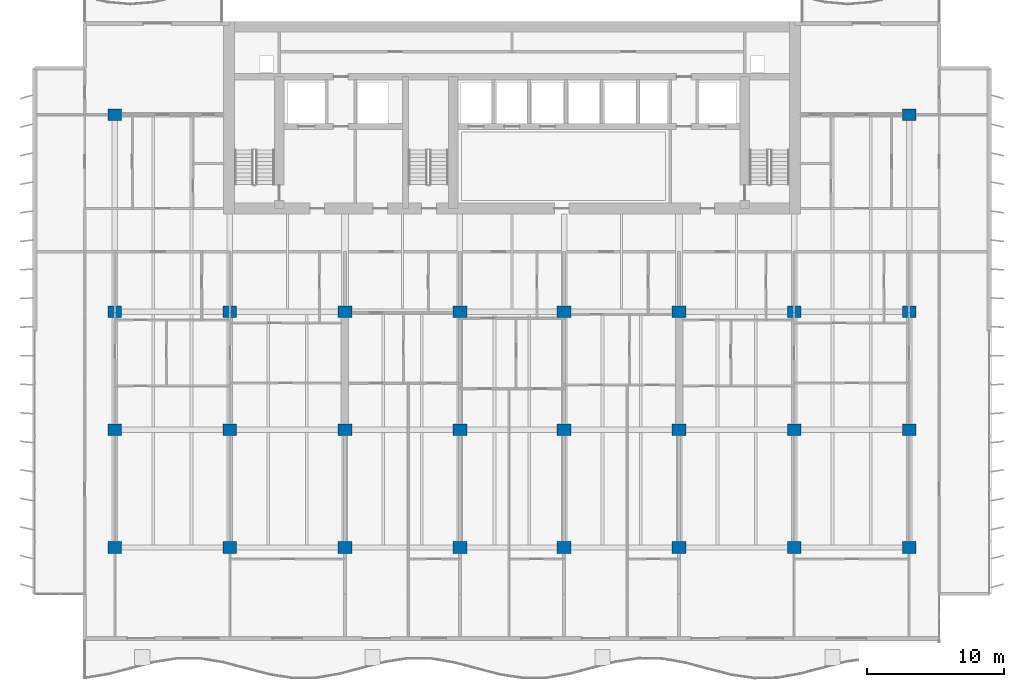
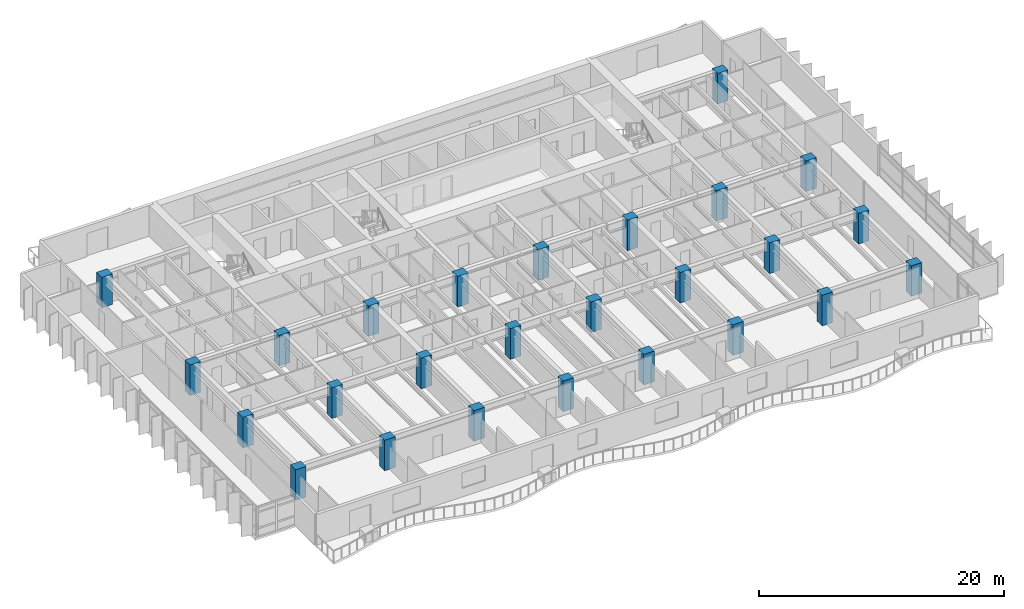
# One storey, part 1 of 19: 26 columns.
"""IFC4 building model written with IfcOpenShell, lengths in metres."""

from ifc_helpers import new_model, si_unit, direction, frame, origin, origin_2d, place, context, subcontext, project, spatial, rectangle, extrude, material, material_profile, profile_set, type_object, element, save


model = new_model("IFC4")

# Units and contexts
model_context = context("Model", 3, precision=1e-05, world=origin(), true_north=direction((0.0, 1.0)))
body_context = subcontext(model_context, "Body", "Model", "MODEL_VIEW")
ifc_project = project(units=[si_unit("LENGTHUNIT", "METRE"), si_unit("AREAUNIT", "SQUARE_METRE"), si_unit("VOLUMEUNIT", "CUBIC_METRE"), si_unit("PLANEANGLEUNIT", "RADIAN"), si_unit("MASSUNIT", "GRAM", prefix="KILO")], contexts=[model_context])

# Site, building, storey
site_placement = place(None, origin())
site = spatial("IfcSite", under=ifc_project, at=site_placement, CompositionType="ELEMENT")
building_placement = place(site_placement, origin())
building = spatial("IfcBuilding", under=site, at=building_placement, Name="Caelmar Bay Residences", CompositionType="ELEMENT")
storey_placement = place(building_placement, frame((0.0, 0.0, 91.199951171875)))
storey = spatial("IfcBuildingStorey", under=building, at=storey_placement, Name="L24", CompositionType="ELEMENT", Elevation=91.199951171875)

# Columns
ifc_material = material(Name="Concrete f'c 70 MPa (10,000 psi)", Category="concrete")
ifc_material_profile = material_profile(ifc_material, rectangle(XDim=1.0, YDim=0.85009765625, at=origin_2d()), Name="RC-COL-1000X850")
ifc_profile_set = profile_set([ifc_material_profile], Name="Concrete f'c 70 MPa (10,000 psi)")
column_type = type_object("IfcColumnType", Name="COL-RC-1000X850", PredefinedType="COLUMN", material=ifc_profile_set)
for number, where, z_axis, x_axis, name in (
    (1, (9.89990234375, 12.199951171875, 0.0), (0.0, 0.0, 1.0), (1.0, 0.0, 0.0), "L24 Column (9.90,12.20)"),
    (2, (18.300048828125, 12.199951171875, 0.0), (0.0, 0.0, 1.0), (1.0, 0.0, 0.0), "L24 Column (18.30,12.20)"),
    (3, (26.699951171875, 12.199951171875, 0.0), (0.0, 0.0, 1.0), (1.0, 0.0, 0.0), "L24 Column (26.70,12.20)"),
    (4, (35.10009765625, 12.199951171875, 0.0), (0.0, 0.0, 1.0), (1.0, 0.0, 0.0), "L24 Column (35.10,12.20)"),
    (5, (42.699951171875, 12.199951171875, 0.0), (0.0, 0.0, 1.0), (1.0, 0.0, 0.0), "L24 Column (42.70,12.20)"),
    (6, (51.10009765625, 12.199951171875, 0.0), (0.0, 0.0, 1.0), (1.0, 0.0, 0.0), "L24 Column (51.10,12.20)"),
    (7, (59.5, 12.199951171875, 0.0), (0.0, 0.0, 1.0), (1.0, 0.0, 0.0), "L24 Column (59.50,12.20)"),
    (8, (67.89990234375, 12.199951171875, 0.0), (0.0, 0.0, 1.0), (1.0, 0.0, 0.0), "L24 Column (67.90,12.20)"),
    (9, (9.89990234375, 20.800048828125, 0.0), (0.0, 0.0, 1.0), (1.0, 0.0, 0.0), "L24 Column (9.90,20.80)"),
    (10, (18.300048828125, 20.800048828125, 0.0), (0.0, 0.0, 1.0), (1.0, 0.0, 0.0), "L24 Column (18.30,20.80)"),
    (11, (26.699951171875, 20.800048828125, 0.0), (0.0, 0.0, 1.0), (1.0, 0.0, 0.0), "L24 Column (26.70,20.80)"),
    (12, (35.10009765625, 20.800048828125, 0.0), (0.0, 0.0, 1.0), (1.0, 0.0, 0.0), "L24 Column (35.10,20.80)"),
    (13, (42.699951171875, 20.800048828125, 0.0), (0.0, 0.0, 1.0), (1.0, 0.0, 0.0), "L24 Column (42.70,20.80)"),
    (14, (51.10009765625, 20.800048828125, 0.0), (0.0, 0.0, 1.0), (1.0, 0.0, 0.0), "L24 Column (51.10,20.80)"),
    (15, (59.5, 20.800048828125, 0.0), (0.0, 0.0, 1.0), (1.0, 0.0, 0.0), "L24 Column (59.50,20.80)"),
    (16, (67.89990234375, 20.800048828125, 0.0), (0.0, 0.0, 1.0), (1.0, 0.0, 0.0), "L24 Column (67.90,20.80)"),
    (17, (9.89990234375, 29.39990234375, 0.0), (0.0, 0.0, 1.0), (1.0, 0.0, 0.0), "L24 Column (9.90,29.40)"),
    (18, (18.300048828125, 29.39990234375, 0.0), (0.0, 0.0, 1.0), (1.0, 0.0, 0.0), "L24 Column (18.30,29.40)"),
    (19, (26.699951171875, 29.39990234375, 0.0), (0.0, 0.0, 1.0), (1.0, 0.0, 0.0), "L24 Column (26.70,29.40)"),
    (20, (35.10009765625, 29.39990234375, 0.0), (0.0, 0.0, 1.0), (1.0, 0.0, 0.0), "L24 Column (35.10,29.40)"),
    (21, (42.699951171875, 29.39990234375, 0.0), (0.0, 0.0, 1.0), (1.0, 0.0, 0.0), "L24 Column (42.70,29.40)"),
    (22, (51.10009765625, 29.39990234375, 0.0), (0.0, 0.0, 1.0), (1.0, 0.0, 0.0), "L24 Column (51.10,29.40)"),
    (23, (59.5, 29.39990234375, 0.0), (0.0, 0.0, 1.0), (1.0, 0.0, 0.0), "L24 Column (59.50,29.40)"),
    (24, (67.89990234375, 29.39990234375, 0.0), (0.0, 0.0, 1.0), (1.0, 0.0, 0.0), "L24 Column (67.90,29.40)"),
    (25, (9.89990234375, 43.800048828125, 0.0), (0.0, 0.0, 1.0), (1.0, 0.0, 0.0), "L24 Column (9.90,43.80)"),
    (26, (67.89990234375, 43.800048828125, 0.0), (0.0, 0.0, 1.0), (1.0, 0.0, 0.0), "L24 Column (67.90,43.80)"),
):
    element("IfcColumn", number, at=place(storey_placement, frame(where, z_axis=z_axis, x_axis=x_axis)), inside=storey, type_object=column_type, Name=name, PredefinedType="COLUMN", context=body_context, shape_type="SweptSolid", body=[
        extrude(rectangle(XDim=1.0, YDim=0.85009765625, at=origin_2d()), origin(), (0.0, 0.0, 1.0), 3.050048828125),
    ])

save(model, "model.ifc")
